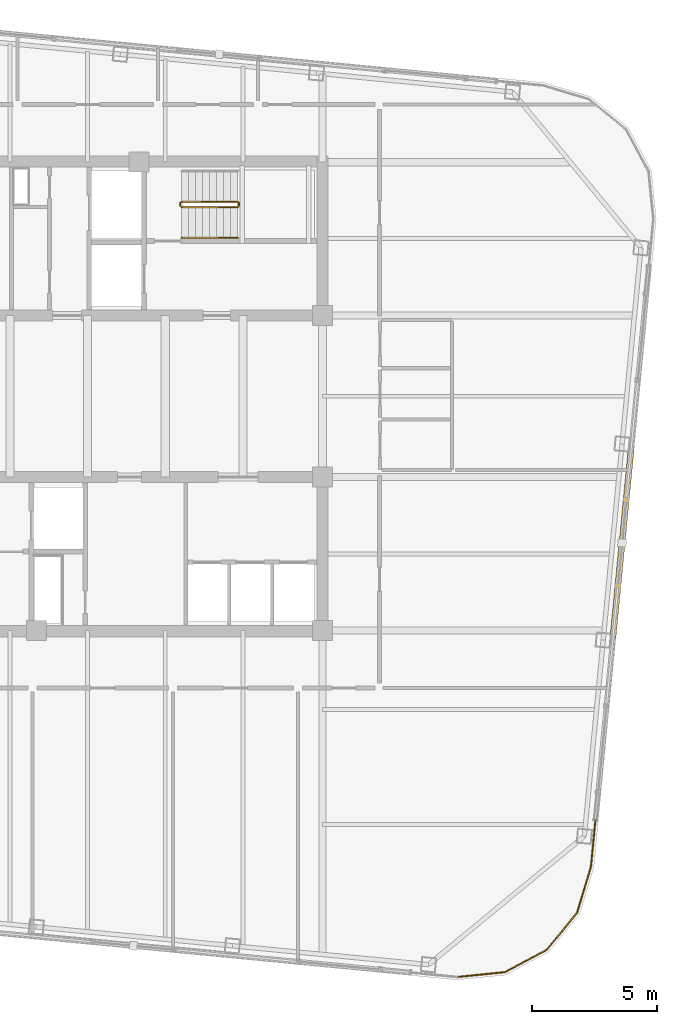
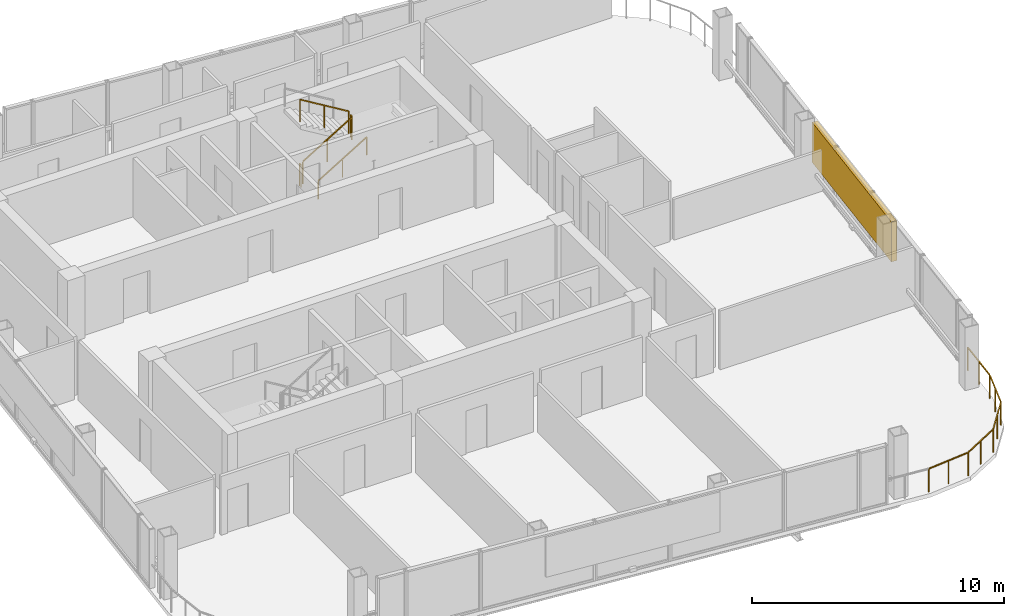
# One storey, part 26 of 27: 6 railings, 1 shading device.
"""IFC4 building model written with IfcOpenShell, lengths in metres."""

from ifc_helpers import new_model, si_unit, direction, frame, origin, origin_2d, place, context, subcontext, project, spatial, rectangle, extrude, material, type_object, element, save


model = new_model("IFC4")

# Units and contexts
model_context = context("Model", 3, precision=1e-05, world=origin(), true_north=direction((0.0, 1.0)))
body_context = subcontext(model_context, "Body", "Model", "MODEL_VIEW")
ifc_project = project(units=[si_unit("LENGTHUNIT", "METRE"), si_unit("AREAUNIT", "SQUARE_METRE"), si_unit("VOLUMEUNIT", "CUBIC_METRE"), si_unit("PLANEANGLEUNIT", "RADIAN"), si_unit("MASSUNIT", "GRAM", prefix="KILO")], contexts=[model_context])

# Site, building, storey
site_placement = place(None, origin())
site = spatial("IfcSite", under=ifc_project, at=site_placement, CompositionType="ELEMENT")
building_placement = place(site_placement, origin())
building = spatial("IfcBuilding", under=site, at=building_placement, Name="Qhalaya Broadcast Tower", CompositionType="ELEMENT")
storey_placement = place(building_placement, frame((0.0, 0.0, 258.10009765625)))
storey = spatial("IfcBuildingStorey", under=building, at=storey_placement, Name="L76", CompositionType="ELEMENT", Elevation=258.10009765625)

# Railings
ifc_material_1 = material(Name="Powder-Coated Galvanised Steel", Category="steel")
railing_type_1 = type_object("IfcRailingType", Name="Stair Wall Handrail 900", PredefinedType="HANDRAIL", material=ifc_material_1)
railing_1_placement = place(storey_placement, frame((3.75, 6.929931640625, 0.16943359375)))
element("IfcRailing", 1, at=railing_1_placement, inside=storey, type_object=railing_type_1, Name="L76 ST-1 Stair Handrail 1", PredefinedType="HANDRAIL", context=body_context, shape_type="SweptSolid", body=[
    extrude(rectangle(XDim=0.048095703125, YDim=0.048095703125, at=origin_2d()), frame((0.0, 0.0, 0.8759765625), z_axis=(0.855553338991, 0.0, 0.51771467445), x_axis=(0.0, 1.0, 0.0)), (0.0, 0.0, 1.0), 2.6181640625),
    extrude(rectangle(XDim=0.0419921875, YDim=0.0419921875, at=origin_2d()), origin(), (0.0, 0.0, 1.0), 0.849853515625),
    extrude(rectangle(XDim=0.0419921875, YDim=0.0419921875, at=origin_2d()), frame((1.1201171875, 0.0, 0.677734375)), (0.0, 0.0, 1.0), 0.849853515625),
    extrude(rectangle(XDim=0.0419921875, YDim=0.0419921875, at=origin_2d()), frame((2.239990234375, 0.0, 1.35546875)), (0.0, 0.0, 1.0), 0.849853515625),
])
railing_type_2 = type_object("IfcRailingType", Name="Stair Well & Landing Guardrail 1100", PredefinedType="GUARDRAIL", material=ifc_material_1)
railing_2_placement = place(storey_placement, frame((3.75, 8.14990234375, 0.16943359375)))
element("IfcRailing", 2, at=railing_2_placement, inside=storey, type_object=railing_type_2, Name="L76 ST-1 Stair Guard 1", PredefinedType="GUARDRAIL", context=body_context, shape_type="SweptSolid", body=[
    extrude(rectangle(XDim=0.048095703125, YDim=0.048095703125, at=origin_2d()), frame((0.0, 0.0, 1.076171875), z_axis=(0.855553338991, 0.0, 0.51771467445), x_axis=(0.0, 1.0, 0.0)), (0.0, 0.0, 1.0), 2.6181640625),
    extrude(rectangle(XDim=0.0419921875, YDim=0.0419921875, at=origin_2d()), origin(), (0.0, 0.0, 1.0), 1.050048828125),
    extrude(rectangle(XDim=0.0419921875, YDim=0.0419921875, at=origin_2d()), frame((1.1201171875, 0.0, 0.677734375)), (0.0, 0.0, 1.0), 1.050048828125),
    extrude(rectangle(XDim=0.0419921875, YDim=0.0419921875, at=origin_2d()), frame((2.239990234375, 0.0, 1.35546875)), (0.0, 0.0, 1.0), 1.050048828125),
])
railing_3_placement = place(storey_placement, frame((6.0400390625, 8.199951171875, 1.52490234375)))
element("IfcRailing", 3, at=railing_3_placement, inside=storey, type_object=railing_type_2, Name="L76 ST-1 Stair Guard 2", PredefinedType="GUARDRAIL", context=body_context, shape_type="SweptSolid", body=[
    extrude(rectangle(XDim=0.048095703125, YDim=0.048095703125, at=origin_2d()), frame((0.0, 0.0, 1.076171875), z_axis=(0.0, 1.0, 0.0), x_axis=(-1.0, 0.0, 0.0)), (0.0, 0.0, 1.0), 0.1201171875),
    extrude(rectangle(XDim=0.0419921875, YDim=0.0419921875, at=origin_2d()), origin(), (0.0, 0.0, 1.0), 1.050048828125),
    extrude(rectangle(XDim=0.0419921875, YDim=0.0419921875, at=origin_2d()), frame((0.0, 0.1201171875, 0.0)), (0.0, 0.0, 1.0), 1.050048828125),
])
railing_4_placement = place(storey_placement, frame((5.989990234375, 8.3701171875, 1.6943359375)))
element("IfcRailing", 4, at=railing_4_placement, inside=storey, type_object=railing_type_2, Name="L76 ST-1 Stair Guard 3", PredefinedType="GUARDRAIL", context=body_context, shape_type="SweptSolid", body=[
    extrude(rectangle(XDim=0.048095703125, YDim=0.048095703125, at=origin_2d()), frame((0.0, 0.0, 1.076171875), z_axis=(-0.855553338991, 0.0, 0.51771467445), x_axis=(0.0, -1.0, 0.0)), (0.0, 0.0, 1.0), 2.6181640625),
    extrude(rectangle(XDim=0.0419921875, YDim=0.0419921875, at=origin_2d()), origin(), (0.0, 0.0, 1.0), 1.050048828125),
    extrude(rectangle(XDim=0.0419921875, YDim=0.0419921875, at=origin_2d()), frame((-1.1201171875, 0.0, 0.677734375)), (0.0, 0.0, 1.0), 1.050048828125),
    extrude(rectangle(XDim=0.0419921875, YDim=0.0419921875, at=origin_2d()), frame((-2.239990234375, 0.0, 1.35546875)), (0.0, 0.0, 1.0), 1.050048828125),
])
railing_5_placement = place(storey_placement, frame((3.699951171875, 8.199951171875, 0.0)))
element("IfcRailing", 5, at=railing_5_placement, inside=storey, type_object=railing_type_2, Name="L76 ST-1 Stair Guard 4", PredefinedType="GUARDRAIL", context=body_context, shape_type="SweptSolid", body=[
    extrude(rectangle(XDim=0.048095703125, YDim=0.048095703125, at=origin_2d()), frame((0.0, 0.0, 1.076171875), z_axis=(0.0, 1.0, 0.0), x_axis=(-1.0, 0.0, 0.0)), (0.0, 0.0, 1.0), 0.1201171875),
    extrude(rectangle(XDim=0.0419921875, YDim=0.0419921875, at=origin_2d()), origin(), (0.0, 0.0, 1.0), 1.050048828125),
    extrude(rectangle(XDim=0.0419921875, YDim=0.0419921875, at=origin_2d()), frame((0.0, 0.1201171875, 0.0)), (0.0, 0.0, 1.0), 1.050048828125),
])
railing_type_3 = type_object("IfcRailingType", Name="Terrace, Sky-Pool & Lookout Glass Balustrade 1150", PredefinedType="BALUSTRADE", material=ifc_material_1)
railing_6_placement = place(storey_placement, frame((20.2958984375, -16.07373046875, 0.0)))
element("IfcRailing", 6, at=railing_6_placement, inside=storey, type_object=railing_type_3, Name="L76 Rounded Corner Perimeter Guard 05", PredefinedType="BALUSTRADE", context=body_context, shape_type="SweptSolid", body=[
    extrude(rectangle(XDim=0.048095703125, YDim=0.048095703125, at=origin_2d()), frame((0.0, 0.0, 1.1259765625), z_axis=(-0.095896889673, -0.995391273094, 0.0), x_axis=(0.995391273094, -0.095896889673, 0.0)), (0.0, 0.0, 1.0), 2.08935546875),
    extrude(rectangle(XDim=0.048095703125, YDim=0.048095703125, at=origin_2d()), frame((-0.21142578125, -2.135986328125, 1.1259765625), z_axis=(-0.288096282124, -0.957601447485, 0.0), x_axis=(0.957601447485, -0.288096282124, 0.0)), (0.0, 0.0, 1.0), 1.857421875),
    extrude(rectangle(XDim=0.048095703125, YDim=0.048095703125, at=origin_2d()), frame((-0.773193359375, -3.96484375, 1.1259765625), z_axis=(-0.63274871945, -0.774357190213, 0.0), x_axis=(0.774357190213, -0.63274871945, 0.0)), (0.0, 0.0, 1.0), 1.845703125),
    extrude(rectangle(XDim=0.048095703125, YDim=0.048095703125, at=origin_2d()), frame((-1.984619140625, -5.429931640625, 1.1259765625), z_axis=(-0.880932037714, -0.473242797018, 0.0), x_axis=(0.473242797018, -0.880932037714, 0.0)), (0.0, 0.0, 1.0), 1.845458984375),
    extrude(rectangle(XDim=0.048095703125, YDim=0.048095703125, at=origin_2d()), frame((-3.66455078125, -6.31982421875, 1.1259765625), z_axis=(-0.994967529225, -0.100197883148, 0.0), x_axis=(0.100197883148, -0.994967529225, 0.0)), (0.0, 0.0, 1.0), 1.88623046875),
    extrude(rectangle(XDim=0.0419921875, YDim=0.0419921875, at=origin_2d()), origin(), (0.0, 0.0, 1.0), 1.099853515625),
    extrude(rectangle(XDim=0.0419921875, YDim=0.0419921875, at=origin_2d()), frame((-0.1015625, -1.05419921875, 0.0)), (0.0, 0.0, 1.0), 1.099853515625),
    extrude(rectangle(XDim=0.0419921875, YDim=0.0419921875, at=origin_2d()), frame((-0.203125, -2.1083984375, 0.0)), (0.0, 0.0, 1.0), 1.099853515625),
    extrude(rectangle(XDim=0.0419921875, YDim=0.0419921875, at=origin_2d()), frame((-0.47900390625, -3.025390625, 0.0)), (0.0, 0.0, 1.0), 1.099853515625),
    extrude(rectangle(XDim=0.0419921875, YDim=0.0419921875, at=origin_2d()), frame((-0.7548828125, -3.9423828125, 0.0)), (0.0, 0.0, 1.0), 1.099853515625),
    extrude(rectangle(XDim=0.0419921875, YDim=0.0419921875, at=origin_2d()), frame((-1.35693359375, -4.67919921875, 0.0)), (0.0, 0.0, 1.0), 1.099853515625),
    extrude(rectangle(XDim=0.0419921875, YDim=0.0419921875, at=origin_2d()), frame((-1.959228515625, -5.416259765625, 0.0)), (0.0, 0.0, 1.0), 1.099853515625),
    extrude(rectangle(XDim=0.0419921875, YDim=0.0419921875, at=origin_2d()), frame((-2.79736328125, -5.86669921875, 0.0)), (0.0, 0.0, 1.0), 1.099853515625),
    extrude(rectangle(XDim=0.0419921875, YDim=0.0419921875, at=origin_2d()), frame((-3.6357421875, -6.31689453125, 0.0)), (0.0, 0.0, 1.0), 1.099853515625),
    extrude(rectangle(XDim=0.0419921875, YDim=0.0419921875, at=origin_2d()), frame((-4.58837890625, -6.412841796875, 0.0)), (0.0, 0.0, 1.0), 1.099853515625),
    extrude(rectangle(XDim=0.0419921875, YDim=0.0419921875, at=origin_2d()), frame((-5.541259765625, -6.5087890625, 0.0)), (0.0, 0.0, 1.0), 1.099853515625),
])

# Shading device
ifc_material_2 = material(Name="Fired Architectural Terracotta", Category="masonry")
shading_device_type = type_object("IfcShadingDeviceType", Name="Terracotta Baguette Solar Screen Assembly TBS-01", PredefinedType="USERDEFINED", material=ifc_material_2)
shading_device_placement = place(storey_placement, frame((21.337646484375, -5.25390625, 0.80078125), z_axis=(0.0, 0.0, 1.0), x_axis=(0.09584575252, 0.995396198367, 0.0)))
element("IfcShadingDevice", 7, at=shading_device_placement, inside=storey, type_object=shading_device_type, Name="L76 Fired Terracotta Baguette Screen E", ObjectType="BAGUETTE", PredefinedType="USERDEFINED", context=body_context, shape_type="SweptSolid", body=[
    extrude(rectangle(XDim=7.60009765625, YDim=0.239990234375, at=origin_2d()), origin(), (0.0, 0.0, 1.0), 1.945068359375),
])

save(model, "model.ifc")
